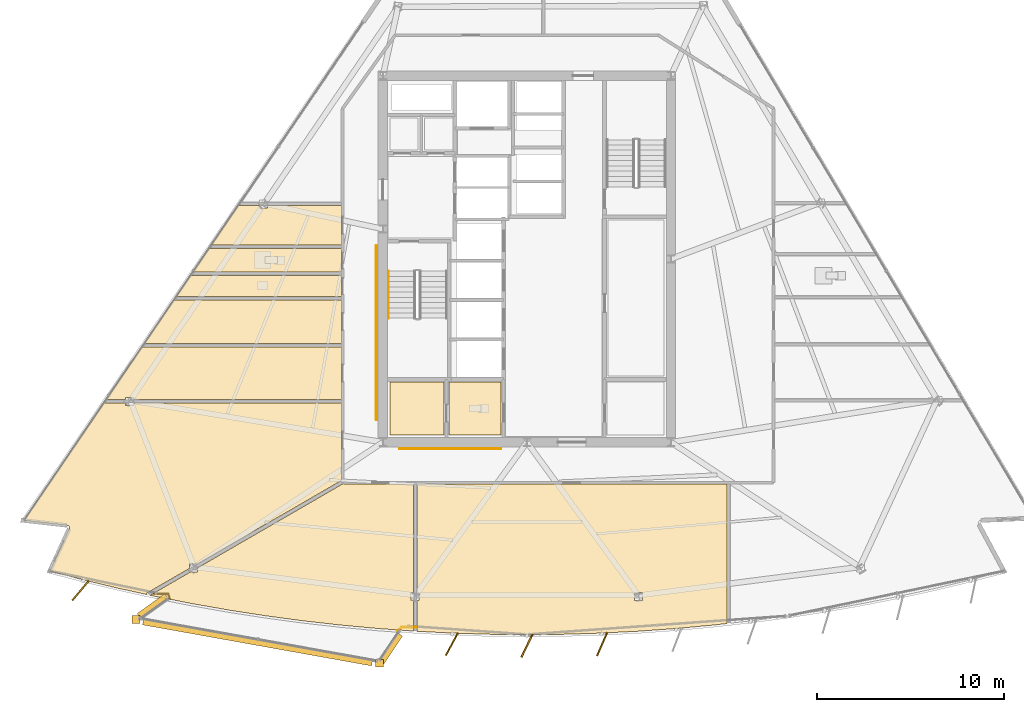
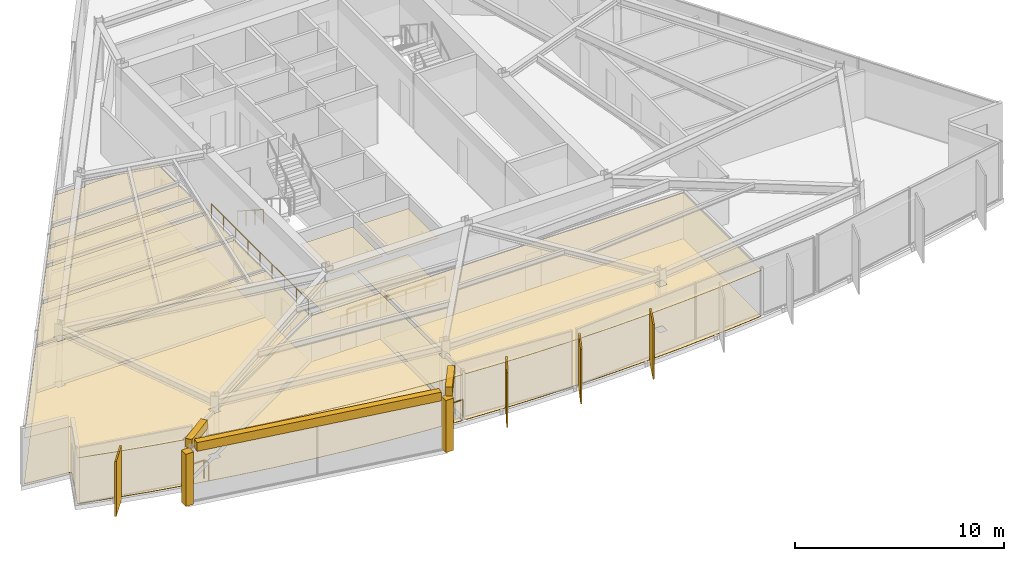
# One storey, part 12 of 16: 25 coverings, 5 railings, 4 shading devices.
"""IFC4 building model written with IfcOpenShell, lengths in metres."""

from ifc_helpers import new_model, si_unit, direction, frame, origin, origin_2d, place, context, subcontext, project, spatial, polyline, rectangle, circle, outline, extrude, material, layer, layer_set, type_object, element, save


model = new_model("IFC4")

# Units and contexts
model_context = context("Model", 3, precision=1e-05, world=origin(), true_north=direction((0.0, 1.0)))
body_context = subcontext(model_context, "Body", "Model", "MODEL_VIEW")
ifc_project = project(units=[si_unit("LENGTHUNIT", "METRE"), si_unit("AREAUNIT", "SQUARE_METRE"), si_unit("VOLUMEUNIT", "CUBIC_METRE"), si_unit("PLANEANGLEUNIT", "RADIAN"), si_unit("MASSUNIT", "GRAM", prefix="KILO")], contexts=[model_context])

# Site, building, storey
site_placement = place(None, origin())
site = spatial("IfcSite", under=ifc_project, at=site_placement, CompositionType="ELEMENT")
building_placement = place(site_placement, origin())
building = spatial("IfcBuilding", under=site, at=building_placement, Name="Savorim Split Tower", CompositionType="ELEMENT")
storey_placement = place(building_placement, frame((0.0, 0.0, 153.0)))
storey = spatial("IfcBuildingStorey", under=building, at=storey_placement, Name="L40", CompositionType="ELEMENT", Elevation=153.0)

# Coverings
ifc_material_1 = material(Name="Mineral Fibre Acoustic Ceiling")
ifc_layer_1 = layer(ifc_material_1, 0.02490234375)
ifc_layer_set_1 = layer_set([ifc_layer_1], Name="COV-CEIL-25")
covering_type_1 = type_object("IfcCoveringType", Name="COV-CEIL-25", PredefinedType="CEILING", material=ifc_layer_set_1)
covering_1_placement = place(storey_placement, frame((0.0, 0.0, 2.669921875)))
element("IfcCovering", 1, at=covering_1_placement, inside=storey, type_object=covering_type_1, Name="L40 Housekeeping Store Acoustic Ceiling", PredefinedType="CEILING", context=body_context, shape_type="SweptSolid", body=[
    extrude(outline(polyline([(-7.320068359375, -6.179931640625), (-7.320068359375, -9.02001953125), (-4.429931640625, -9.02001953125), (-4.429931640625, -6.179931640625), (-7.320068359375, -6.179931640625)])), origin(), (0.0, 0.0, 1.0), 0.025146484375),
])
covering_2_placement = place(storey_placement, frame((0.0, 0.0, 2.669921875)))
element("IfcCovering", 2, at=covering_2_placement, inside=storey, type_object=covering_type_1, Name="L40 Accessible WC Acoustic Ceiling", PredefinedType="CEILING", context=body_context, shape_type="SweptSolid", body=[
    extrude(outline(polyline([(-4.169921875, -6.179931640625), (-4.169921875, -9.02001953125), (-1.3798828125, -9.02001953125), (-1.3798828125, -6.179931640625), (-4.169921875, -6.179931640625)])), origin(), (0.0, 0.0, 1.0), 0.025146484375),
])
covering_3_placement = place(storey_placement, frame((0.0, 0.0, 2.669921875)))
element("IfcCovering", 3, at=covering_3_placement, inside=storey, type_object=covering_type_1, Name="L40 Shared Bathroom Acoustic Ceiling", PredefinedType="CEILING", context=body_context, shape_type="SweptSolid", body=[
    extrude(outline(polyline([(-16.997314453125, 0.9580078125), (-17.844482421875, -0.287353515625), (-9.919921875, -0.287109375), (-9.919921875, 0.9580078125), (-16.997314453125, 0.9580078125)])), origin(), (0.0, 0.0, 1.0), 0.025146484375),
])
covering_4_placement = place(storey_placement, frame((0.0, 0.0, 2.669921875)))
element("IfcCovering", 4, at=covering_4_placement, inside=storey, type_object=covering_type_1, Name="L40 Shared Kitchen Acoustic Ceiling", PredefinedType="CEILING", context=body_context, shape_type="SweptSolid", body=[
    extrude(outline(polyline([(-17.973876953125, -0.477294921875), (-18.741455078125, -1.605712890625), (-9.919921875, -1.605712890625), (-9.919921875, -0.477294921875), (-17.973876953125, -0.477294921875)])), origin(), (0.0, 0.0, 1.0), 0.025146484375),
])
covering_5_placement = place(storey_placement, frame((0.0, 0.0, 2.669921875)))
element("IfcCovering", 5, at=covering_5_placement, inside=storey, type_object=covering_type_1, Name="L40 Co-Living Bedroom Acoustic Ceiling", PredefinedType="CEILING", context=body_context, shape_type="SweptSolid", body=[
    extrude(outline(polyline([(-18.87060546875, -1.795654296875), (-20.45556640625, -4.125244140625), (-9.919921875, -4.125244140625), (-9.919921875, -1.795654296875), (-18.87060546875, -1.795654296875)])), origin(), (0.0, 0.0, 1.0), 0.025146484375),
])
covering_6_placement = place(storey_placement, frame((0.0, 0.0, 2.669921875)))
element("IfcCovering", 6, at=covering_6_placement, inside=storey, type_object=covering_type_1, Name="L40 Co-Working Commons Acoustic Ceiling", PredefinedType="CEILING", context=body_context, shape_type="SweptSolid", body=[
    extrude(outline(polyline([(-21.036376953125, -6.994384765625), (-21.036376953125, -7.113037109375), (-9.919921875, -7.113037109375), (-9.919921875, -4.315185546875), (-20.584716796875, -4.315185546875), (-22.488037109375, -7.113037109375), (-21.460205078125, -7.113037109375), (-21.460205078125, -6.994384765625), (-21.036376953125, -6.994384765625)])), origin(), (0.0, 0.0, 1.0), 0.025146484375),
])
covering_7_placement = place(storey_placement, frame((0.0, 0.0, 2.669921875)))
element("IfcCovering", 7, at=covering_7_placement, inside=storey, type_object=covering_type_1, Name="L40 Co-Working Commons Acoustic Ceiling", PredefinedType="CEILING", context=body_context, shape_type="SweptSolid", body=[
    extrude(outline(polyline([(-24.447509765625, -13.9501953125), (-24.447265625, -13.9619140625), (-24.447998046875, -13.973876953125), (-24.4501953125, -13.985595703125), (-24.45361328125, -13.9970703125), (-24.4580078125, -14.00830078125), (-25.5048828125, -16.28662109375), (-23.711181640625, -16.755615234375), (-21.770263671875, -17.220947265625), (-20.30322265625, -17.541015625), (-20.34130859375, -17.47509765625), (-18.03369140625, -16.14013671875), (-18.03369140625, -15.913818359375), (-17.642333984375, -15.913818359375), (-9.95068359375, -11.463623046875), (-9.919921875, -11.44580078125), (-9.919921875, -7.302978515625), (-21.036376953125, -7.302978515625), (-21.036376953125, -7.42138671875), (-21.460205078125, -7.42138671875), (-21.460205078125, -7.302978515625), (-22.4921875, -7.302978515625), (-22.587158203125, -7.302978515625), (-22.587158203125, -7.2587890625), (-26.88623046875, -13.578369140625), (-24.5537109375, -13.8388671875), (-24.5419921875, -13.8408203125), (-24.530517578125, -13.84375), (-24.519287109375, -13.847900390625), (-24.508544921875, -13.853271484375), (-24.49853515625, -13.859619140625), (-24.489013671875, -13.866943359375), (-24.48046875, -13.875244140625), (-24.47265625, -13.88427734375), (-24.4658203125, -13.893798828125), (-24.459716796875, -13.904296875), (-24.455078125, -13.915283203125), (-24.451416015625, -13.926513671875), (-24.44873046875, -13.938232421875), (-24.447509765625, -13.9501953125)])), origin(), (0.0, 0.0, 1.0), 0.025146484375),
])
covering_8_placement = place(storey_placement, frame((0.0, 0.0, 2.669921875)))
element("IfcCovering", 8, at=covering_8_placement, inside=storey, type_object=covering_type_1, Name="L40 Co-Working Commons Acoustic Ceiling", PredefinedType="CEILING", context=body_context, shape_type="SweptSolid", body=[
    extrude(outline(polyline([(-13.923828125, -18.6826171875), (-11.945556640625, -18.947265625), (-9.962158203125, -19.17138671875), (-7.974853515625, -19.35498046875), (-6.068115234375, -19.49169921875), (-6.068115234375, -17.86181640625), (-6.18505859375, -17.86181640625), (-6.18505859375, -17.434814453125), (-6.068115234375, -17.434814453125), (-6.068115234375, -11.6201171875), (-9.780029296875, -11.6201171875), (-9.793701171875, -11.619384765625), (-9.807373046875, -11.6171875), (-9.820556640625, -11.614013671875), (-9.8271484375, -11.611572265625), (-17.609619140625, -16.1142578125), (-17.609619140625, -16.3408203125), (-18.0009765625, -16.3408203125), (-20.137939453125, -17.5771484375), (-19.8203125, -17.646484375), (-17.86181640625, -18.031982421875), (-15.89599609375, -18.37744140625), (-13.923828125, -18.6826171875)])), origin(), (0.0, 0.0, 1.0), 0.025146484375),
])
covering_9_placement = place(storey_placement, frame((0.0, 0.0, 2.669921875)))
element("IfcCovering", 9, at=covering_9_placement, inside=storey, type_object=covering_type_1, Name="L40 Co-Working Commons Acoustic Ceiling", PredefinedType="CEILING", context=body_context, shape_type="SweptSolid", body=[
    extrude(outline(polyline([(5.98388671875, -19.497802734375), (7.974853515625, -19.35498046875), (9.962158203125, -19.17138671875), (10.68212890625, -19.090087890625), (10.68212890625, -11.6201171875), (-5.8779296875, -11.6201171875), (-5.8779296875, -17.434814453125), (-5.760986328125, -17.434814453125), (-5.760986328125, -17.86181640625), (-5.8779296875, -17.86181640625), (-5.8779296875, -19.4482421875), (-5.8779296875, -19.503173828125), (-3.99072265625, -19.599853515625), (-1.99560546875, -19.6611328125), (0.0, -19.681640625), (1.99560546875, -19.6611328125), (3.99072265625, -19.599853515625), (5.98388671875, -19.497802734375)]), holes=[polyline([(5.760986328125, -17.86181640625), (6.18505859375, -17.86181640625), (6.18505859375, -17.434814453125), (5.760986328125, -17.434814453125), (5.760986328125, -17.86181640625)])]), origin(), (0.0, 0.0, 1.0), 0.025146484375),
])
covering_10_placement = place(storey_placement, frame((0.0, 0.0, 2.669921875)))
element("IfcCovering", 10, at=covering_10_placement, inside=storey, type_object=covering_type_1, Name="L40 Maker Workshop Acoustic Ceiling", PredefinedType="CEILING", context=body_context, shape_type="SweptSolid", body=[
    extrude(outline(polyline([(-14.28564453125, 3.243896484375), (-15.3173828125, 3.243896484375), (-15.412353515625, 3.243896484375), (-15.412353515625, 3.2880859375), (-16.8681640625, 1.148193359375), (-9.919921875, 1.148193359375), (-9.919921875, 3.243896484375), (-13.861572265625, 3.243896484375), (-13.861572265625, 3.125244140625), (-14.28564453125, 3.125244140625), (-14.28564453125, 3.243896484375)])), origin(), (0.0, 0.0, 1.0), 0.025146484375),
])
ifc_material_2 = material(Name="Porcelain Stoneware Flooring", Category="masonry")
ifc_layer_2 = layer(ifc_material_2, 0.02001953125)
ifc_layer_set_2 = layer_set([ifc_layer_2], Name="COV-FLOR-20")
covering_type_2 = type_object("IfcCoveringType", Name="COV-FLOR-20", PredefinedType="FLOORING", material=ifc_layer_set_2)
covering_11_placement = place(storey_placement, origin())
element("IfcCovering", 11, at=covering_11_placement, inside=storey, type_object=covering_type_2, Name="L40 Housekeeping Store Porcelain Flooring", PredefinedType="FLOORING", context=body_context, shape_type="SweptSolid", body=[
    extrude(outline(polyline([(-7.320068359375, -6.179931640625), (-7.320068359375, -9.02001953125), (-4.429931640625, -9.02001953125), (-4.429931640625, -6.179931640625), (-7.320068359375, -6.179931640625)])), origin(), (0.0, 0.0, 1.0), 0.02001953125),
])
covering_12_placement = place(storey_placement, origin())
element("IfcCovering", 12, at=covering_12_placement, inside=storey, type_object=covering_type_2, Name="L40 Accessible WC Porcelain Flooring", PredefinedType="FLOORING", context=body_context, shape_type="SweptSolid", body=[
    extrude(outline(polyline([(-4.169921875, -6.179931640625), (-4.169921875, -9.02001953125), (-1.3798828125, -9.02001953125), (-1.3798828125, -6.179931640625), (-4.169921875, -6.179931640625)])), origin(), (0.0, 0.0, 1.0), 0.02001953125),
])
covering_13_placement = place(storey_placement, origin())
element("IfcCovering", 13, at=covering_13_placement, inside=storey, type_object=covering_type_2, Name="L40 Shared Bathroom Porcelain Flooring", PredefinedType="FLOORING", context=body_context, shape_type="SweptSolid", body=[
    extrude(outline(polyline([(-16.997314453125, 0.9580078125), (-17.844482421875, -0.287353515625), (-9.919921875, -0.287109375), (-9.919921875, 0.9580078125), (-16.997314453125, 0.9580078125)])), origin(), (0.0, 0.0, 1.0), 0.02001953125),
])
covering_14_placement = place(storey_placement, origin())
element("IfcCovering", 14, at=covering_14_placement, inside=storey, type_object=covering_type_2, Name="L40 Shared Kitchen Porcelain Flooring", PredefinedType="FLOORING", context=body_context, shape_type="SweptSolid", body=[
    extrude(outline(polyline([(-17.973876953125, -0.477294921875), (-18.741455078125, -1.605712890625), (-9.919921875, -1.605712890625), (-9.919921875, -0.477294921875), (-17.973876953125, -0.477294921875)])), origin(), (0.0, 0.0, 1.0), 0.02001953125),
])
covering_15_placement = place(storey_placement, origin())
element("IfcCovering", 15, at=covering_15_placement, inside=storey, type_object=covering_type_2, Name="L40 Co-Living Bedroom Porcelain Flooring", PredefinedType="FLOORING", context=body_context, shape_type="SweptSolid", body=[
    extrude(outline(polyline([(-18.87060546875, -1.795654296875), (-20.45556640625, -4.125244140625), (-9.919921875, -4.125244140625), (-9.919921875, -1.795654296875), (-18.87060546875, -1.795654296875)])), origin(), (0.0, 0.0, 1.0), 0.02001953125),
])
covering_16_placement = place(storey_placement, origin())
element("IfcCovering", 16, at=covering_16_placement, inside=storey, type_object=covering_type_2, Name="L40 Co-Working Commons Porcelain Flooring", PredefinedType="FLOORING", context=body_context, shape_type="SweptSolid", body=[
    extrude(outline(polyline([(-21.036376953125, -6.994384765625), (-21.036376953125, -7.113037109375), (-9.919921875, -7.113037109375), (-9.919921875, -4.315185546875), (-20.584716796875, -4.315185546875), (-22.488037109375, -7.113037109375), (-21.460205078125, -7.113037109375), (-21.460205078125, -6.994384765625), (-21.036376953125, -6.994384765625)])), origin(), (0.0, 0.0, 1.0), 0.02001953125),
])
covering_17_placement = place(storey_placement, origin())
element("IfcCovering", 17, at=covering_17_placement, inside=storey, type_object=covering_type_2, Name="L40 Co-Working Commons Porcelain Flooring", PredefinedType="FLOORING", context=body_context, shape_type="SweptSolid", body=[
    extrude(outline(polyline([(-24.447509765625, -13.9501953125), (-24.447265625, -13.9619140625), (-24.447998046875, -13.973876953125), (-24.4501953125, -13.985595703125), (-24.45361328125, -13.9970703125), (-24.4580078125, -14.00830078125), (-25.5048828125, -16.28662109375), (-23.711181640625, -16.755615234375), (-21.770263671875, -17.220947265625), (-20.30322265625, -17.541015625), (-20.34130859375, -17.47509765625), (-18.03369140625, -16.14013671875), (-18.03369140625, -15.913818359375), (-17.642333984375, -15.913818359375), (-9.95068359375, -11.463623046875), (-9.919921875, -11.44580078125), (-9.919921875, -7.302978515625), (-21.036376953125, -7.302978515625), (-21.036376953125, -7.42138671875), (-21.460205078125, -7.42138671875), (-21.460205078125, -7.302978515625), (-22.4921875, -7.302978515625), (-22.587158203125, -7.302978515625), (-22.587158203125, -7.2587890625), (-26.88623046875, -13.578369140625), (-24.5537109375, -13.8388671875), (-24.5419921875, -13.8408203125), (-24.530517578125, -13.84375), (-24.519287109375, -13.847900390625), (-24.508544921875, -13.853271484375), (-24.49853515625, -13.859619140625), (-24.489013671875, -13.866943359375), (-24.48046875, -13.875244140625), (-24.47265625, -13.88427734375), (-24.4658203125, -13.893798828125), (-24.459716796875, -13.904296875), (-24.455078125, -13.915283203125), (-24.451416015625, -13.926513671875), (-24.44873046875, -13.938232421875), (-24.447509765625, -13.9501953125)])), origin(), (0.0, 0.0, 1.0), 0.02001953125),
])
covering_18_placement = place(storey_placement, origin())
element("IfcCovering", 18, at=covering_18_placement, inside=storey, type_object=covering_type_2, Name="L40 Co-Working Commons Porcelain Flooring", PredefinedType="FLOORING", context=body_context, shape_type="SweptSolid", body=[
    extrude(outline(polyline([(-13.923828125, -18.6826171875), (-11.945556640625, -18.947265625), (-9.962158203125, -19.17138671875), (-7.974853515625, -19.35498046875), (-6.068115234375, -19.49169921875), (-6.068115234375, -17.86181640625), (-6.18505859375, -17.86181640625), (-6.18505859375, -17.434814453125), (-6.068115234375, -17.434814453125), (-6.068115234375, -11.6201171875), (-9.780029296875, -11.6201171875), (-9.793701171875, -11.619384765625), (-9.807373046875, -11.6171875), (-9.820556640625, -11.614013671875), (-9.8271484375, -11.611572265625), (-17.609619140625, -16.1142578125), (-17.609619140625, -16.3408203125), (-18.0009765625, -16.3408203125), (-20.137939453125, -17.5771484375), (-19.8203125, -17.646484375), (-17.86181640625, -18.031982421875), (-15.89599609375, -18.37744140625), (-13.923828125, -18.6826171875)])), origin(), (0.0, 0.0, 1.0), 0.02001953125),
])
covering_19_placement = place(storey_placement, origin())
element("IfcCovering", 19, at=covering_19_placement, inside=storey, type_object=covering_type_2, Name="L40 Co-Working Commons Porcelain Flooring", PredefinedType="FLOORING", context=body_context, shape_type="SweptSolid", body=[
    extrude(outline(polyline([(5.98388671875, -19.497802734375), (7.974853515625, -19.35498046875), (9.962158203125, -19.17138671875), (10.68212890625, -19.090087890625), (10.68212890625, -11.6201171875), (-5.8779296875, -11.6201171875), (-5.8779296875, -17.434814453125), (-5.760986328125, -17.434814453125), (-5.760986328125, -17.86181640625), (-5.8779296875, -17.86181640625), (-5.8779296875, -19.4482421875), (-5.8779296875, -19.503173828125), (-3.99072265625, -19.599853515625), (-1.99560546875, -19.6611328125), (0.0, -19.681640625), (1.99560546875, -19.6611328125), (3.99072265625, -19.599853515625), (5.98388671875, -19.497802734375)]), holes=[polyline([(5.760986328125, -17.86181640625), (6.18505859375, -17.86181640625), (6.18505859375, -17.434814453125), (5.760986328125, -17.434814453125), (5.760986328125, -17.86181640625)])]), origin(), (0.0, 0.0, 1.0), 0.02001953125),
])
covering_20_placement = place(storey_placement, origin())
element("IfcCovering", 20, at=covering_20_placement, inside=storey, type_object=covering_type_2, Name="L40 Maker Workshop Porcelain Flooring", PredefinedType="FLOORING", context=body_context, shape_type="SweptSolid", body=[
    extrude(outline(polyline([(-14.28564453125, 3.243896484375), (-15.3173828125, 3.243896484375), (-15.412353515625, 3.243896484375), (-15.412353515625, 3.2880859375), (-16.8681640625, 1.148193359375), (-9.919921875, 1.148193359375), (-9.919921875, 3.243896484375), (-13.861572265625, 3.243896484375), (-13.861572265625, 3.125244140625), (-14.28564453125, 3.125244140625), (-14.28564453125, 3.243896484375)])), origin(), (0.0, 0.0, 1.0), 0.02001953125),
])
ifc_material_3 = material(Name="White Porcelain Architectural Cladding")
ifc_layer_3 = layer(ifc_material_3, 0.139892578125)
ifc_layer_set_3 = layer_set([ifc_layer_3], Name="COV-FRM-WHITE")
covering_type_3 = type_object("IfcCoveringType", Name="COV-FRM-WHITE", PredefinedType="CLADDING", material=ifc_layer_set_3)
covering_21_placement = place(storey_placement, frame((0.0, 0.0, 3.080078125)))
element("IfcCovering", 21, at=covering_21_placement, inside=storey, type_object=covering_type_3, Name="L40 Cantilevered Lounge White Upper Cornice Band W", PredefinedType="CLADDING", context=body_context, shape_type="SweptSolid", body=[
    extrude(outline(polyline([(-19.375, -17.504638671875), (-20.83740234375, -18.553955078125), (-20.639404296875, -18.830078125), (-19.1767578125, -17.781005859375), (-19.375, -17.504638671875)])), origin(), (0.0, 0.0, 1.0), 0.510009765625),
])
covering_22_placement = place(storey_placement, frame((0.0, 0.0, 3.080078125)))
element("IfcCovering", 22, at=covering_22_placement, inside=storey, type_object=covering_type_3, Name="L40 Cantilevered Lounge White Upper Cornice Band F", PredefinedType="CLADDING", context=body_context, shape_type="SweptSolid", body=[
    extrude(outline(polyline([(-20.54931640625, -19.15966796875), (-8.3056640625, -21.354736328125), (-8.24560546875, -21.020263671875), (-20.489501953125, -18.8251953125), (-20.54931640625, -19.15966796875)])), origin(), (0.0, 0.0, 1.0), 0.510009765625),
])
covering_23_placement = place(storey_placement, frame((0.0, 0.0, 3.080078125)))
element("IfcCovering", 23, at=covering_23_placement, inside=storey, type_object=covering_type_3, Name="L40 Cantilevered Lounge White Upper Cornice Band E", PredefinedType="CLADDING", context=body_context, shape_type="SweptSolid", body=[
    extrude(outline(polyline([(-7.645751953125, -21.264404296875), (-6.647216796875, -19.7666015625), (-6.929931640625, -19.578125), (-7.928466796875, -21.07568359375), (-7.645751953125, -21.264404296875)])), origin(), (0.0, 0.0, 1.0), 0.510009765625),
])
covering_24_placement = place(storey_placement, frame((0.0, 0.0, 0.010009765625)))
element("IfcCovering", 24, at=covering_24_placement, inside=storey, type_object=covering_type_3, Name="L40 Cantilevered Lounge White Frame Corner Post 1", PredefinedType="CLADDING", context=body_context, shape_type="SweptSolid", body=[
    extrude(outline(polyline([(-21.1142578125, -19.08251953125), (-20.6943359375, -19.08251953125), (-20.6943359375, -18.66259765625), (-21.1142578125, -18.66259765625), (-21.1142578125, -19.08251953125)])), origin(), (0.0, 0.0, 1.0), 3.050048828125),
])
covering_25_placement = place(storey_placement, frame((0.0, 0.0, 0.010009765625)))
element("IfcCovering", 25, at=covering_25_placement, inside=storey, type_object=covering_type_3, Name="L40 Cantilevered Lounge White Frame Corner Post 2", PredefinedType="CLADDING", context=body_context, shape_type="SweptSolid", body=[
    extrude(outline(polyline([(-8.0830078125, -21.4189453125), (-7.6630859375, -21.4189453125), (-7.6630859375, -20.998779296875), (-8.0830078125, -20.998779296875), (-8.0830078125, -21.4189453125)])), origin(), (0.0, 0.0, 1.0), 3.050048828125),
])

# Railings
ifc_material_4 = material(Name="Galvanised Painted Steel Balustrade", Category="steel")
railing_type_1 = type_object("IfcRailingType", Name="RLG-BAL-1100", PredefinedType="BALUSTRADE", material=ifc_material_4)
railing_1_placement = place(storey_placement, frame((-19.961669921875, -17.48681640625, 0.0)))
element("IfcRailing", 26, at=railing_1_placement, inside=storey, type_object=railing_type_1, Name="L40 Cantilevered Lounge West Edge Closure Guard", PredefinedType="BALUSTRADE", context=body_context, shape_type="SweptSolid", body=[
    extrude(circle(Radius=0.02392578125, at=origin_2d()), frame((0.0, 0.0, 1.076171875), z_axis=(1.0, 0.0, 0.0), x_axis=(0.0, 1.0, 0.0)), (0.0, 0.0, 1.0), 0.780029296875),
    extrude(circle(Radius=0.02392578125, at=origin_2d()), frame((0.780029296875, 0.0, 1.076171875), z_axis=(0.317975260738, -0.94809901042, 0.0), x_axis=(0.94809901042, 0.317975260738, 0.0)), (0.0, 0.0, 1.0), 0.293212890625),
    extrude(circle(Radius=0.02099609375, at=origin_2d()), origin(), (0.0, 0.0, 1.0), 1.052001953125),
    extrude(circle(Radius=0.02099609375, at=origin_2d()), frame((0.780029296875, 0.0, 0.0)), (0.0, 0.0, 1.0), 1.052001953125),
    extrude(circle(Radius=0.02099609375, at=origin_2d()), frame((0.873291015625, -0.278076171875, 0.0)), (0.0, 0.0, 1.0), 1.052001953125),
])
railing_2_placement = place(storey_placement, frame((-6.9248046875, -19.4560546875, 0.0)))
element("IfcRailing", 27, at=railing_2_placement, inside=storey, type_object=railing_type_1, Name="L40 Cantilevered Lounge East Edge Closure Guard", PredefinedType="BALUSTRADE", context=body_context, shape_type="SweptSolid", body=[
    extrude(circle(Radius=0.02392578125, at=origin_2d()), frame((0.0, 0.0, 1.076171875), z_axis=(0.816385453628, 0.577507394849, 0.0), x_axis=(-0.577507394849, 0.816385453628, 0.0)), (0.0, 0.0, 1.0), 0.279052734375),
    extrude(circle(Radius=0.02392578125, at=origin_2d()), frame((0.227783203125, 0.1611328125, 1.076171875), z_axis=(1.0, 0.0, 0.0), x_axis=(0.0, 1.0, 0.0)), (0.0, 0.0, 1.0), 0.780029296875),
    extrude(circle(Radius=0.02099609375, at=origin_2d()), origin(), (0.0, 0.0, 1.0), 1.052001953125),
    extrude(circle(Radius=0.02099609375, at=origin_2d()), frame((0.227783203125, 0.1611328125, 0.0)), (0.0, 0.0, 1.0), 1.052001953125),
    extrude(circle(Radius=0.02099609375, at=origin_2d()), frame((1.0078125, 0.1611328125, 0.0)), (0.0, 0.0, 1.0), 1.052001953125),
])
railing_type_2 = type_object("IfcRailingType", Name="RLG-HR-900", PredefinedType="HANDRAIL", material=ifc_material_4)
railing_3_placement = place(storey_placement, frame((-7.39990234375, -0.25, 0.179931640625)))
element("IfcRailing", 28, at=railing_3_placement, inside=storey, type_object=railing_type_2, Name="L40 ST-1 stair handrail 1", PredefinedType="HANDRAIL", context=body_context, shape_type="SweptSolid", body=[
    extrude(circle(Radius=0.02392578125, at=origin_2d()), frame((0.0, 0.0, 0.8759765625), z_axis=(0.0, -0.841162588446, 0.540782303519), x_axis=(1.0, 0.0, 0.0)), (0.0, 0.0, 1.0), 2.995849609375),
    extrude(circle(Radius=0.02099609375, at=origin_2d()), origin(), (0.0, 0.0, 1.0), 0.851806640625),
    extrude(circle(Radius=0.02099609375, at=origin_2d()), frame((0.0, -0.840087890625, 0.5400390625)), (0.0, 0.0, 1.0), 0.851806640625),
    extrude(circle(Radius=0.02099609375, at=origin_2d()), frame((0.0, -1.679931640625, 1.080078125)), (0.0, 0.0, 1.0), 0.851806640625),
    extrude(circle(Radius=0.02099609375, at=origin_2d()), frame((0.0, -2.52001953125, 1.6201171875)), (0.0, 0.0, 1.0), 0.851806640625),
])
railing_4_placement = place(storey_placement, frame((-6.800048828125, -9.75, 0.0)))
element("IfcRailing", 29, at=railing_4_placement, inside=storey, type_object=railing_type_2, Name="L40 Corridor South Accessible Handrail", PredefinedType="HANDRAIL", context=body_context, shape_type="SweptSolid", body=[
    extrude(circle(Radius=0.02392578125, at=origin_2d()), frame((0.0, 0.0, 0.8759765625), z_axis=(1.0, 0.0, 0.0), x_axis=(0.0, 1.0, 0.0)), (0.0, 0.0, 1.0), 5.400146484375),
    extrude(circle(Radius=0.02099609375, at=origin_2d()), origin(), (0.0, 0.0, 1.0), 0.851806640625),
    extrude(circle(Radius=0.02099609375, at=origin_2d()), frame((1.080078125, 0.0, 0.0)), (0.0, 0.0, 1.0), 0.851806640625),
    extrude(circle(Radius=0.02099609375, at=origin_2d()), frame((2.16015625, 0.0, 0.0)), (0.0, 0.0, 1.0), 0.851806640625),
    extrude(circle(Radius=0.02099609375, at=origin_2d()), frame((3.239990234375, 0.0, 0.0)), (0.0, 0.0, 1.0), 0.851806640625),
    extrude(circle(Radius=0.02099609375, at=origin_2d()), frame((4.320068359375, 0.0, 0.0)), (0.0, 0.0, 1.0), 0.851806640625),
    extrude(circle(Radius=0.02099609375, at=origin_2d()), frame((5.400146484375, 0.0, 0.0)), (0.0, 0.0, 1.0), 0.851806640625),
])
railing_5_placement = place(storey_placement, frame((-8.050048828125, -8.199951171875, 0.0)))
element("IfcRailing", 30, at=railing_5_placement, inside=storey, type_object=railing_type_2, Name="L40 Corridor West Accessible Handrail", PredefinedType="HANDRAIL", context=body_context, shape_type="SweptSolid", body=[
    extrude(circle(Radius=0.02392578125, at=origin_2d()), frame((0.0, 0.0, 0.8759765625), z_axis=(0.0, 1.0, 0.0), x_axis=(-1.0, 0.0, 0.0)), (0.0, 0.0, 1.0), 9.300048828125),
    extrude(circle(Radius=0.02099609375, at=origin_2d()), origin(), (0.0, 0.0, 1.0), 0.851806640625),
    extrude(circle(Radius=0.02099609375, at=origin_2d()), frame((0.0, 1.16259765625, 0.0)), (0.0, 0.0, 1.0), 0.851806640625),
    extrude(circle(Radius=0.02099609375, at=origin_2d()), frame((0.0, 2.324951171875, 0.0)), (0.0, 0.0, 1.0), 0.851806640625),
    extrude(circle(Radius=0.02099609375, at=origin_2d()), frame((0.0, 3.487548828125, 0.0)), (0.0, 0.0, 1.0), 0.851806640625),
    extrude(circle(Radius=0.02099609375, at=origin_2d()), frame((0.0, 4.64990234375, 0.0)), (0.0, 0.0, 1.0), 0.851806640625),
    extrude(circle(Radius=0.02099609375, at=origin_2d()), frame((0.0, 5.8125, 0.0)), (0.0, 0.0, 1.0), 0.851806640625),
    extrude(circle(Radius=0.02099609375, at=origin_2d()), frame((0.0, 6.97509765625, 0.0)), (0.0, 0.0, 1.0), 0.851806640625),
    extrude(circle(Radius=0.02099609375, at=origin_2d()), frame((0.0, 8.137451171875, 0.0)), (0.0, 0.0, 1.0), 0.851806640625),
    extrude(circle(Radius=0.02099609375, at=origin_2d()), frame((0.0, 9.300048828125, 0.0)), (0.0, 0.0, 1.0), 0.851806640625),
])

# Shading devices
ifc_material_5 = material(Name="Terracotta Ceramic-Coated Aluminium Fin", Category="masonry")
shading_device_type = type_object("IfcShadingDeviceType", Name="SHD-FIN-1360", PredefinedType="USERDEFINED", material=ifc_material_5)
for number, where, z_axis, x_axis, name in (
    (31, (-23.85595703125, -17.333740234375, -0.2001953125), (0.0, 0.0, 1.0), (-0.643719022682, -0.765261928909, 0.0), "L40 Sawtooth Shading Fin 01"),
    (32, (-4.01513671875, -20.1953125, -0.2001953125), (0.0, 0.0, 1.0), (-0.474778051978, -0.880105562623, 0.0), "L40 Sawtooth Shading Fin 06"),
    (33, (0.0, -20.277587890625, -0.2001953125), (0.0, 0.0, 1.0), (-0.438371146789, -0.898794046299, 0.0), "L40 Sawtooth Shading Fin 07"),
    (34, (4.01513671875, -20.1953125, -0.2001953125), (0.0, 0.0, 1.0), (-0.401230091723, -0.915977299662, 0.0), "L40 Sawtooth Shading Fin 08"),
):
    element("IfcShadingDevice", number, at=place(storey_placement, frame(where, z_axis=z_axis, x_axis=x_axis)), inside=storey, type_object=shading_device_type, Name=name, ObjectType="FIN", PredefinedType="USERDEFINED", context=body_context, shape_type="SweptSolid", body=[
        extrude(rectangle(XDim=1.360107421875, YDim=0.080078125, at=origin_2d()), origin(), (0.0, 0.0, 1.0), 3.199951171875),
    ])

save(model, "model.ifc")
